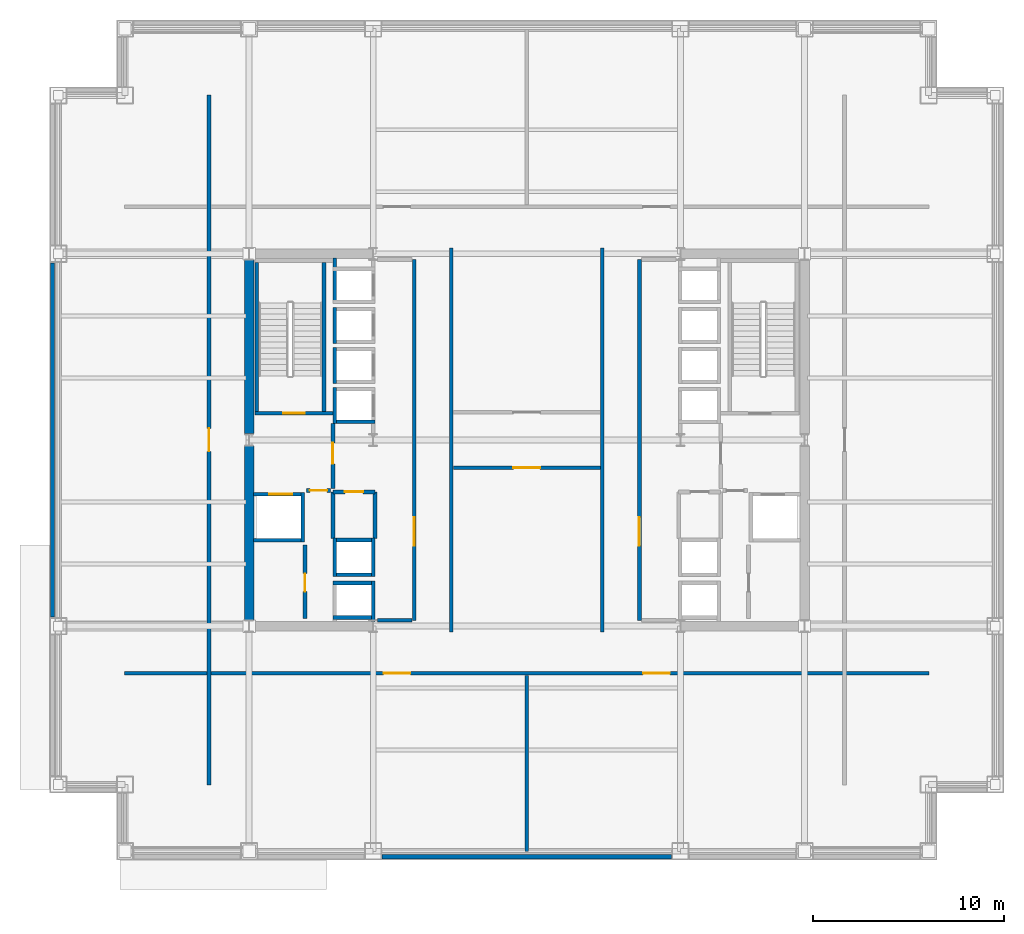
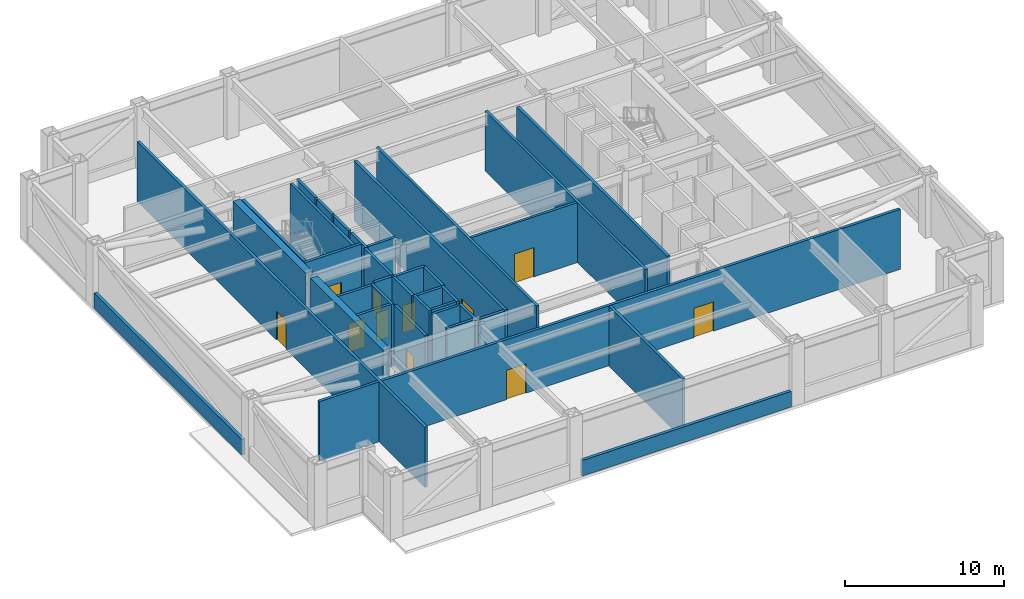
# One storey, part 3 of 8: 37 walls, 12 doors, 12 openings.
"""IFC4 building model written with IfcOpenShell, lengths in metres."""

from ifc_helpers import new_model, si_unit, direction, frame, frame_2d, origin, place, context, subcontext, project, spatial, rectangle, extrude, material, layer, layer_set, type_object, element, fill, save


model = new_model("IFC4")

# Units and contexts
model_context = context("Model", 3, precision=1e-05, world=origin(), true_north=direction((0.0, 1.0)))
body_context = subcontext(model_context, "Body", "Model", "MODEL_VIEW")
ifc_project = project(units=[si_unit("LENGTHUNIT", "METRE"), si_unit("AREAUNIT", "SQUARE_METRE"), si_unit("VOLUMEUNIT", "CUBIC_METRE"), si_unit("PLANEANGLEUNIT", "RADIAN"), si_unit("MASSUNIT", "GRAM", prefix="KILO")], contexts=[model_context])

# Site, building, storey
site_placement = place(None, origin())
site = spatial("IfcSite", under=ifc_project, at=site_placement, CompositionType="ELEMENT")
building_placement = place(site_placement, origin())
building = spatial("IfcBuilding", under=site, at=building_placement, Name="Brelmoor Portico Tower", CompositionType="ELEMENT")
storey_placement = place(building_placement, frame((0.0, 0.0, 78.0)))
storey = spatial("IfcBuildingStorey", under=building, at=storey_placement, Name="L20", CompositionType="ELEMENT", Elevation=78.0)

# Walls
ifc_material_1 = material(Name="Concrete C60", Category="concrete")
ifc_layer_1 = layer(ifc_material_1, 0.5)
ifc_layer_set_1 = layer_set([ifc_layer_1], Name="Concrete C60")
wall_type_1 = type_object("IfcWallType", Name="WL-CORE-500", PredefinedType="SHEAR", material=ifc_layer_set_1)
for number, where, z_axis, x_axis, name in (
    (1, (-14.550048828125, -9.425048828125, -0.199951171875), (0.0, 0.0, 1.0), (0.0, 1.0, 0.0), "L20 WC Outer South Shear Wall"),
    (2, (-14.550048828125, 0.324951171875, -0.199951171875), (0.0, 0.0, 1.0), (0.0, 1.0, 0.0), "L20 WC Outer North Shear Wall"),
):
    element("IfcWall", number, at=place(storey_placement, frame(where, z_axis=z_axis, x_axis=x_axis)), inside=storey, type_object=wall_type_1, Name=name, PredefinedType="SHEAR", context=body_context, shape_type="SweptSolid", body=[
        extrude(rectangle(XDim=9.10009765625, YDim=0.5, at=frame_2d((4.550048828125, 0.0))), origin(), (0.0, 0.0, 1.0), 4.800048828125),
    ])
ifc_material_2 = material(Name="Concrete C40 Parapet Upstand", Category="concrete")
ifc_layer_2 = layer(ifc_material_2, 0.219970703125)
ifc_layer_set_2 = layer_set([ifc_layer_2], Name="Concrete C40 Parapet Upstand")
wall_type_2 = type_object("IfcWallType", Name="WL-PARAPET-220", PredefinedType="PARAPET", material=ifc_layer_set_2)
wall_1_placement = place(storey_placement, frame((-7.580078125, -21.840087890625, 0.0), z_axis=(0.0, 0.0, 1.0), x_axis=(1.0, 0.0, 0.0)))
element("IfcWall", 3, at=wall_1_placement, inside=storey, type_object=wall_type_2, Name="L20 Plant Louvre Perimeter Upstand 03", PredefinedType="PARAPET", context=body_context, shape_type="SweptSolid", body=[
    extrude(rectangle(XDim=15.16015625, YDim=0.219970703125, at=frame_2d((7.580078125, 0.0))), origin(), (0.0, 0.0, 1.0), 1.199951171875),
])
wall_2_placement = place(storey_placement, frame((-24.840087890625, 9.280029296875, 0.0), z_axis=(0.0, 0.0, 1.0), x_axis=(0.0, -1.0, 0.0)))
element("IfcWall", 4, at=wall_2_placement, inside=storey, type_object=wall_type_2, Name="L20 Plant Louvre Perimeter Upstand 21", PredefinedType="PARAPET", context=body_context, shape_type="SweptSolid", body=[
    extrude(rectangle(XDim=18.56005859375, YDim=0.219970703125, at=frame_2d((9.280029296875, 0.0))), origin(), (0.0, 0.0, 1.0), 1.199951171875),
])
ifc_material_3 = material(Name="Acoustic Corridor Fire Partition", Category="gypsum")
ifc_layer_3 = layer(ifc_material_3, 0.179931640625)
ifc_layer_set_3 = layer_set([ifc_layer_3], Name="Acoustic Corridor Fire Partition")
wall_type_3 = type_object("IfcWallType", Name="WL-PART-180", PredefinedType="PARTITIONING", material=ifc_layer_set_3)
for number, where, z_axis, x_axis, name in (
    (5, (-3.949951171875, -10.050048828125, 0.0), (0.0, 0.0, 1.0), (0.0, 1.0, 0.0), "L20 Central Plant West Wall"),
    (6, (3.949951171875, -10.050048828125, 0.0), (0.0, 0.0, 1.0), (0.0, 1.0, 0.0), "L20 Central Plant East Wall"),
):
    element("IfcWall", number, at=place(storey_placement, frame(where, z_axis=z_axis, x_axis=x_axis)), inside=storey, type_object=wall_type_3, Name=name, PredefinedType="PARTITIONING", context=body_context, shape_type="SweptSolid", body=[
        extrude(rectangle(XDim=20.10009765625, YDim=0.179931640625, at=frame_2d((10.050048828125, 0.0))), origin(), (0.0, 0.0, 1.0), 4.60009765625),
    ])

# Wall, opening, door
wall_3_placement = place(storey_placement, frame((-3.85009765625, -1.449951171875, 0.0), z_axis=(0.0, 0.0, 1.0), x_axis=(1.0, 0.0, 0.0)))
wall_3 = element("IfcWall", 7, at=wall_3_placement, inside=storey, type_object=wall_type_3, Name="L20 Central Pump Room Wall", PredefinedType="PARTITIONING", context=body_context, shape_type="SweptSolid", body=[
    extrude(rectangle(XDim=7.7001953125, YDim=0.179931640625, at=frame_2d((3.85009765625, 0.0))), origin(), (0.0, 0.0, 1.0), 4.60009765625),
])
opening_1_placement = place(wall_3_placement, frame((3.14990234375, 0.0, 0.0)))
opening_1 = element("IfcOpeningElement", 8, at=opening_1_placement, cuts=wall_3, Name="Opening D-PL1", PredefinedType="OPENING", context=body_context, shape_type="SweptSolid", body=[
    extrude(rectangle(XDim=1.39990234375, YDim=2.25, at=frame_2d((0.699951171875, 1.125))), frame((0.0, 0.099853515625, 0.0), z_axis=(0.0, -1.0, 0.0), x_axis=(1.0, 0.0, 0.0)), (0.0, 0.0, 1.0), 0.199951171875),
])
ifc_material_4 = material(Name="Double-Leaf Acoustic Steel Plant Door", Category="steel")
door_type_1 = type_object("IfcDoorType", Name="DR-PLANT-1400", OperationType="NOTDEFINED", PredefinedType="DOOR", material=ifc_material_4)
door_1_placement = place(opening_1_placement, origin())
door_1 = element("IfcDoor", 9, at=door_1_placement, inside=storey, type_object=door_type_1, Name="D-0912 L20 Transfer Pump Room Door", OperationType="DOUBLE_DOOR_SINGLE_SWING", OverallHeight=2.25, OverallWidth=1.39990234375, PredefinedType="DOOR", context=body_context, shape_type="SweptSolid", body=[
    extrude(rectangle(XDim=1.39990234375, YDim=2.25, at=frame_2d((0.699951171875, 1.125))), frame((0.0, 0.02490234375, 0.0), z_axis=(0.0, -1.0, 0.0), x_axis=(1.0, 0.0, 0.0)), (0.0, 0.0, 1.0), 0.050048828125),
])
fill(opening_1, door_1)

ifc_material_5 = material(Name="Double-Stud Gypsum Fire Partition", Category="gypsum")
ifc_layer_4 = layer(ifc_material_5, 0.199951171875)
ifc_layer_set_4 = layer_set([ifc_layer_4], Name="Double-Stud Gypsum Fire Partition")
wall_type_4 = type_object("IfcWallType", Name="WL-PART-200", PredefinedType="PARTITIONING", material=ifc_layer_set_4)
wall_4_placement = place(storey_placement, frame((-5.89990234375, -9.449951171875, 0.0), z_axis=(0.0, 0.0, 1.0), x_axis=(0.0, 1.0, 0.0)))
wall_4 = element("IfcWall", 10, at=wall_4_placement, inside=storey, type_object=wall_type_4, Name="L20 W Core Lobby Compartment Wall", PredefinedType="PARTITIONING", context=body_context, shape_type="SweptSolid", body=[
    extrude(rectangle(XDim=18.89990234375, YDim=0.199951171875, at=frame_2d((9.449951171875, 0.0))), origin(), (0.0, 0.0, 1.0), 4.60009765625),
])
opening_2_placement = place(wall_4_placement, frame((3.89990234375, 0.0, 0.0)))
opening_2 = element("IfcOpeningElement", 11, at=opening_2_placement, cuts=wall_4, Name="Opening D-LB1", PredefinedType="OPENING", context=body_context, shape_type="SweptSolid", body=[
    extrude(rectangle(XDim=1.5, YDim=2.199951171875, at=frame_2d((0.75, 1.10009765625))), frame((0.0, 0.10986328125, 0.0), z_axis=(0.0, -1.0, 0.0), x_axis=(1.0, 0.0, 0.0)), (0.0, 0.0, 1.0), 0.219970703125),
])
ifc_material_6 = material(Name="Double-Leaf Glazed Steel Fire Door", Category="steel")
door_type_2 = type_object("IfcDoorType", Name="DR-LOBBY-1500", OperationType="NOTDEFINED", PredefinedType="DOOR", material=ifc_material_6)
door_2_placement = place(opening_2_placement, origin())
door_2 = element("IfcDoor", 12, at=door_2_placement, inside=storey, type_object=door_type_2, Name="D-0910 L20 W Lift Lobby Main Door", OperationType="DOUBLE_DOOR_SINGLE_SWING", OverallHeight=2.199951171875, OverallWidth=1.5, PredefinedType="DOOR", context=body_context, shape_type="SweptSolid", body=[
    extrude(rectangle(XDim=1.5, YDim=2.199951171875, at=frame_2d((0.75, 1.10009765625))), frame((0.0, 0.02490234375, 0.0), z_axis=(0.0, -1.0, 0.0), x_axis=(1.0, 0.0, 0.0)), (0.0, 0.0, 1.0), 0.050048828125),
])
fill(opening_2, door_2)

# Wall
wall_5_placement = place(storey_placement, frame((-6.02001953125, -9.449951171875, 0.0), z_axis=(0.0, 0.0, 1.0), x_axis=(-1.0, 0.0, 0.0)))
element("IfcWall", 13, at=wall_5_placement, inside=storey, type_object=wall_type_4, Name="L20 W Lift Lobby South End Wall", PredefinedType="PARTITIONING", context=body_context, shape_type="SweptSolid", body=[
    extrude(rectangle(XDim=1.800048828125, YDim=0.199951171875, at=frame_2d((0.89990234375, 0.0))), origin(), (0.0, 0.0, 1.0), 4.60009765625),
])

# Wall, opening, door
wall_6_placement = place(storey_placement, frame((-10.159912109375, -2.550048828125, 0.0), z_axis=(0.0, 0.0, 1.0), x_axis=(0.0, 1.0, 0.0)))
wall_6 = element("IfcWall", 14, at=wall_6_placement, inside=storey, type_object=wall_type_4, Name="L20 W Firefighting Lobby Wall", PredefinedType="PARTITIONING", context=body_context, shape_type="SweptSolid", body=[
    extrude(rectangle(XDim=3.400146484375, YDim=0.199951171875, at=frame_2d((1.7001953125, 0.0))), origin(), (0.0, 0.0, 1.0), 4.60009765625),
])
opening_3_placement = place(wall_6_placement, frame((1.300048828125, 0.0, 0.0)))
opening_3 = element("IfcOpeningElement", 15, at=opening_3_placement, cuts=wall_6, Name="Opening D-FR1", PredefinedType="OPENING", context=body_context, shape_type="SweptSolid", body=[
    extrude(rectangle(XDim=1.10009765625, YDim=2.14990234375, at=frame_2d((0.550048828125, 1.074951171875))), frame((0.0, 0.10986328125, 0.0), z_axis=(0.0, -1.0, 0.0), x_axis=(1.0, 0.0, 0.0)), (0.0, 0.0, 1.0), 0.219970703125),
])
ifc_material_7 = material(Name="Painted Galvanised Steel Fire Door", Category="steel")
door_type_3 = type_object("IfcDoorType", Name="DR-FIRE-1100", OperationType="NOTDEFINED", PredefinedType="DOOR", material=ifc_material_7)
door_3_placement = place(opening_3_placement, origin())
door_3 = element("IfcDoor", 16, at=door_3_placement, inside=storey, type_object=door_type_3, Name="D-0908 L20 W Firefighting Lobby Door", OperationType="SINGLE_SWING_LEFT", OverallHeight=2.14990234375, OverallWidth=1.10009765625, PredefinedType="DOOR", context=body_context, shape_type="SweptSolid", body=[
    extrude(rectangle(XDim=1.10009765625, YDim=2.14990234375, at=frame_2d((0.550048828125, 1.074951171875))), frame((0.0, 0.02490234375, 0.0), z_axis=(0.0, -1.0, 0.0), x_axis=(1.0, 0.0, 0.0)), (0.0, 0.0, 1.0), 0.050048828125),
])
fill(opening_3, door_3)

wall_7_placement = place(storey_placement, frame((-10.280029296875, -2.64990234375, 0.0), z_axis=(0.0, 0.0, 1.0), x_axis=(-1.0, 0.0, 0.0)))
wall_7 = element("IfcWall", 17, at=wall_7_placement, inside=storey, type_object=wall_type_4, Name="L20 W Firefighting Lobby South Wall", PredefinedType="PARTITIONING", context=body_context, shape_type="SweptSolid", body=[
    extrude(rectangle(XDim=1.27001953125, YDim=0.199951171875, at=frame_2d((0.635009765625, 0.0))), origin(), (0.0, 0.0, 1.0), 4.60009765625),
])
opening_4_placement = place(wall_7_placement, frame((0.18505859375, 0.0, 0.0)))
opening_4 = element("IfcOpeningElement", 18, at=opening_4_placement, cuts=wall_7, Name="Opening D-IN1", PredefinedType="OPENING", context=body_context, shape_type="SweptSolid", body=[
    extrude(rectangle(XDim=0.89990234375, YDim=2.14990234375, at=frame_2d((0.449951171875, 1.074951171875))), frame((0.0, 0.10986328125, 0.0), z_axis=(0.0, -1.0, 0.0), x_axis=(1.0, 0.0, 0.0)), (0.0, 0.0, 1.0), 0.219970703125),
])
ifc_material_8 = material(Name="Lacquered Timber Suite Door", Category="wood")
door_type_4 = type_object("IfcDoorType", Name="DR-INT-900", OperationType="NOTDEFINED", PredefinedType="DOOR", material=ifc_material_8)
door_4_placement = place(opening_4_placement, origin())
door_4 = element("IfcDoor", 19, at=door_4_placement, inside=storey, type_object=door_type_4, Name="D-0904 L20 W Core Service Vestibule Door", OperationType="SINGLE_SWING_RIGHT", OverallHeight=2.14990234375, OverallWidth=0.89990234375, PredefinedType="DOOR", context=body_context, shape_type="SweptSolid", body=[
    extrude(rectangle(XDim=0.89990234375, YDim=2.14990234375, at=frame_2d((0.449951171875, 1.074951171875))), frame((0.0, 0.02490234375, 0.0), z_axis=(0.0, -1.0, 0.0), x_axis=(1.0, 0.0, 0.0)), (0.0, 0.0, 1.0), 0.050048828125),
])
fill(opening_4, door_4)

wall_8_placement = place(storey_placement, frame((-7.9599609375, -2.719970703125, 0.0), z_axis=(0.0, 0.0, 1.0), x_axis=(-1.0, 0.0, 0.0)))
wall_8 = element("IfcWall", 20, at=wall_8_placement, inside=storey, type_object=wall_type_4, Name="L20 W Electrical Switchgear Closet Wall", PredefinedType="PARTITIONING", context=body_context, shape_type="SweptSolid", body=[
    extrude(rectangle(XDim=2.199951171875, YDim=0.199951171875, at=frame_2d((1.10009765625, 0.0))), origin(), (0.0, 0.0, 1.0), 4.60009765625),
])
opening_5_placement = place(wall_8_placement, frame((0.6201171875, 0.0, 0.0)))
opening_5 = element("IfcOpeningElement", 21, at=opening_5_placement, cuts=wall_8, Name="Opening D-FR4", PredefinedType="OPENING", context=body_context, shape_type="SweptSolid", body=[
    extrude(rectangle(XDim=0.949951171875, YDim=2.10009765625, at=frame_2d((0.47509765625, 1.050048828125))), frame((0.0, 0.10986328125, 0.0), z_axis=(0.0, -1.0, 0.0), x_axis=(1.0, 0.0, 0.0)), (0.0, 0.0, 1.0), 0.219970703125),
])
ifc_material_9 = material(Name="Painted Galvanised Steel Riser Door", Category="steel")
door_type_5 = type_object("IfcDoorType", Name="DR-FIRE-950", OperationType="NOTDEFINED", PredefinedType="DOOR", material=ifc_material_9)
door_5_placement = place(opening_5_placement, origin())
door_5 = element("IfcDoor", 22, at=door_5_placement, inside=storey, type_object=door_type_5, Name="D-0906 L20 W Electrical Switchgear Closet Door", OperationType="SINGLE_SWING_LEFT", OverallHeight=2.10009765625, OverallWidth=0.949951171875, PredefinedType="DOOR", context=body_context, shape_type="SweptSolid", body=[
    extrude(rectangle(XDim=0.949951171875, YDim=2.10009765625, at=frame_2d((0.47509765625, 1.050048828125))), frame((0.0, 0.02490234375, 0.0), z_axis=(0.0, -1.0, 0.0), x_axis=(1.0, 0.0, 0.0)), (0.0, 0.0, 1.0), 0.050048828125),
])
fill(opening_5, door_5)

# Walls
for number, where, z_axis, x_axis, name in (
    (23, (-7.9599609375, -5.159912109375, 0.0), (0.0, 0.0, 1.0), (0.0, 1.0, 0.0), "L20 W Electrical Switchgear Closet Inner Wall"),
    (24, (-10.159912109375, -5.159912109375, 0.0), (0.0, 0.0, 1.0), (0.0, 1.0, 0.0), "L20 W Electrical Switchgear Closet Outer Wall"),
):
    element("IfcWall", number, at=place(storey_placement, frame(where, z_axis=z_axis, x_axis=x_axis)), inside=storey, type_object=wall_type_4, Name=name, PredefinedType="PARTITIONING", context=body_context, shape_type="SweptSolid", body=[
        extrude(rectangle(XDim=2.43994140625, YDim=0.199951171875, at=frame_2d((1.219970703125, 0.0))), origin(), (0.0, 0.0, 1.0), 4.60009765625),
    ])

# Wall, opening, door
wall_9_placement = place(storey_placement, frame((-11.6201171875, -9.35009765625, 0.0), z_axis=(0.0, 0.0, 1.0), x_axis=(0.0, 1.0, 0.0)))
wall_9 = element("IfcWall", 25, at=wall_9_placement, inside=storey, type_object=wall_type_4, Name="L20 W Mechanical Equipment Closet Wall", PredefinedType="PARTITIONING", context=body_context, shape_type="SweptSolid", body=[
    extrude(rectangle(XDim=3.85009765625, YDim=0.199951171875, at=frame_2d((1.925048828125, 0.0))), origin(), (0.0, 0.0, 1.0), 4.60009765625),
])
opening_6_placement = place(wall_9_placement, frame((1.39990234375, 0.0, 0.0)))
opening_6 = element("IfcOpeningElement", 26, at=opening_6_placement, cuts=wall_9, Name="Opening D-FR4", PredefinedType="OPENING", context=body_context, shape_type="SweptSolid", body=[
    extrude(rectangle(XDim=0.949951171875, YDim=2.10009765625, at=frame_2d((0.47509765625, 1.050048828125))), frame((0.0, 0.10986328125, 0.0), z_axis=(0.0, -1.0, 0.0), x_axis=(1.0, 0.0, 0.0)), (0.0, 0.0, 1.0), 0.219970703125),
])
door_6_placement = place(opening_6_placement, origin())
door_6 = element("IfcDoor", 27, at=door_6_placement, inside=storey, type_object=door_type_5, Name="D-0902 L20 W Mechanical Equipment Closet Door", OperationType="SINGLE_SWING_RIGHT", OverallHeight=2.10009765625, OverallWidth=0.949951171875, PredefinedType="DOOR", context=body_context, shape_type="SweptSolid", body=[
    extrude(rectangle(XDim=0.949951171875, YDim=2.10009765625, at=frame_2d((0.47509765625, 1.050048828125))), frame((0.0, 0.02490234375, 0.0), z_axis=(0.0, -1.0, 0.0), x_axis=(1.0, 0.0, 0.0)), (0.0, 0.0, 1.0), 0.050048828125),
])
fill(opening_6, door_6)

wall_10_placement = place(storey_placement, frame((5.89990234375, -9.449951171875, 0.0), z_axis=(0.0, 0.0, 1.0), x_axis=(0.0, 1.0, 0.0)))
wall_10 = element("IfcWall", 28, at=wall_10_placement, inside=storey, type_object=wall_type_4, Name="L20 E Core Lobby Compartment Wall", PredefinedType="PARTITIONING", context=body_context, shape_type="SweptSolid", body=[
    extrude(rectangle(XDim=18.89990234375, YDim=0.199951171875, at=frame_2d((9.449951171875, 0.0))), origin(), (0.0, 0.0, 1.0), 4.60009765625),
])
opening_7_placement = place(wall_10_placement, frame((3.89990234375, 0.0, 0.0)))
opening_7 = element("IfcOpeningElement", 29, at=opening_7_placement, cuts=wall_10, Name="Opening D-LB1", PredefinedType="OPENING", context=body_context, shape_type="SweptSolid", body=[
    extrude(rectangle(XDim=1.5, YDim=2.199951171875, at=frame_2d((0.75, 1.10009765625))), frame((0.0, 0.10986328125, 0.0), z_axis=(0.0, -1.0, 0.0), x_axis=(1.0, 0.0, 0.0)), (0.0, 0.0, 1.0), 0.219970703125),
])
door_7_placement = place(opening_7_placement, origin())
door_7 = element("IfcDoor", 30, at=door_7_placement, inside=storey, type_object=door_type_2, Name="D-0909 L20 E Lift Lobby Main Door", OperationType="DOUBLE_DOOR_SINGLE_SWING", OverallHeight=2.199951171875, OverallWidth=1.5, PredefinedType="DOOR", context=body_context, shape_type="SweptSolid", body=[
    extrude(rectangle(XDim=1.5, YDim=2.199951171875, at=frame_2d((0.75, 1.10009765625))), frame((0.0, 0.02490234375, 0.0), z_axis=(0.0, -1.0, 0.0), x_axis=(1.0, 0.0, 0.0)), (0.0, 0.0, 1.0), 0.050048828125),
])
fill(opening_7, door_7)

wall_11_placement = place(storey_placement, frame((-16.64990234375, -18.070068359375, 0.0), z_axis=(0.0, 0.0, 1.0), x_axis=(0.0, 1.0, 0.0)))
wall_11 = element("IfcWall", 31, at=wall_11_placement, inside=storey, type_object=wall_type_4, Name="L20 Pressurised Refuge Area West Fire Wall", PredefinedType="PARTITIONING", context=body_context, shape_type="SweptSolid", body=[
    extrude(rectangle(XDim=36.14013671875, YDim=0.199951171875, at=frame_2d((18.070068359375, 0.0))), origin(), (0.0, 0.0, 1.0), 4.60009765625),
])
opening_8_placement = place(wall_11_placement, frame((17.469970703125, 0.0, 0.0)))
opening_8 = element("IfcOpeningElement", 32, at=opening_8_placement, cuts=wall_11, Name="Opening D-FR3", PredefinedType="OPENING", context=body_context, shape_type="SweptSolid", body=[
    extrude(rectangle(XDim=1.199951171875, YDim=2.219970703125, at=frame_2d((0.60009765625, 1.10986328125))), frame((0.0, 0.10986328125, 0.0), z_axis=(0.0, -1.0, 0.0), x_axis=(1.0, 0.0, 0.0)), (0.0, 0.0, 1.0), 0.219970703125),
])
door_type_6 = type_object("IfcDoorType", Name="DR-FIRE-1200", OperationType="NOTDEFINED", PredefinedType="DOOR", material=ifc_material_7)
door_8_placement = place(opening_8_placement, origin())
door_8 = element("IfcDoor", 33, at=door_8_placement, inside=storey, type_object=door_type_6, Name="D-0918 L20 Pressurised Refuge Area West Door", OperationType="SINGLE_SWING_LEFT", OverallHeight=2.219970703125, OverallWidth=1.199951171875, PredefinedType="DOOR", context=body_context, shape_type="SweptSolid", body=[
    extrude(rectangle(XDim=1.199951171875, YDim=2.219970703125, at=frame_2d((0.60009765625, 1.10986328125))), frame((0.0, 0.02490234375, 0.0), z_axis=(0.0, -1.0, 0.0), x_axis=(1.0, 0.0, 0.0)), (0.0, 0.0, 1.0), 0.050048828125),
])
fill(opening_8, door_8)

# Wall, openings, doors
wall_12_placement = place(storey_placement, frame((-21.070068359375, -12.219970703125, 0.0), z_axis=(0.0, 0.0, 1.0), x_axis=(1.0, 0.0, 0.0)))
wall_12 = element("IfcWall", 34, at=wall_12_placement, inside=storey, type_object=wall_type_4, Name="L20 South Plant Wall", PredefinedType="PARTITIONING", context=body_context, shape_type="SweptSolid", body=[
    extrude(rectangle(XDim=42.14013671875, YDim=0.199951171875, at=frame_2d((21.070068359375, 0.0))), origin(), (0.0, 0.0, 1.0), 4.60009765625),
])
opening_9_placement = place(wall_12_placement, frame((13.570068359375, 0.0, 0.0)))
opening_9 = element("IfcOpeningElement", 35, at=opening_9_placement, cuts=wall_12, Name="Opening D-PL1", PredefinedType="OPENING", context=body_context, shape_type="SweptSolid", body=[
    extrude(rectangle(XDim=1.39990234375, YDim=2.25, at=frame_2d((0.699951171875, 1.125))), frame((0.0, 0.10986328125, 0.0), z_axis=(0.0, -1.0, 0.0), x_axis=(1.0, 0.0, 0.0)), (0.0, 0.0, 1.0), 0.219970703125),
])
opening_10_placement = place(wall_12_placement, frame((27.169921875, 0.0, 0.0)))
opening_10 = element("IfcOpeningElement", 36, at=opening_10_placement, cuts=wall_12, Name="Opening D-PL1", PredefinedType="OPENING", context=body_context, shape_type="SweptSolid", body=[
    extrude(rectangle(XDim=1.39990234375, YDim=2.25, at=frame_2d((0.699951171875, 1.125))), frame((0.0, 0.10986328125, 0.0), z_axis=(0.0, -1.0, 0.0), x_axis=(1.0, 0.0, 0.0)), (0.0, 0.0, 1.0), 0.219970703125),
])
door_9_placement = place(opening_9_placement, origin())
door_9 = element("IfcDoor", 37, at=door_9_placement, inside=storey, type_object=door_type_1, Name="D-0916 L20 Smoke Extract Fan Plant Door", OperationType="DOUBLE_DOOR_SINGLE_SWING", OverallHeight=2.25, OverallWidth=1.39990234375, PredefinedType="DOOR", context=body_context, shape_type="SweptSolid", body=[
    extrude(rectangle(XDim=1.39990234375, YDim=2.25, at=frame_2d((0.699951171875, 1.125))), frame((0.0, 0.02490234375, 0.0), z_axis=(0.0, -1.0, 0.0), x_axis=(1.0, 0.0, 0.0)), (0.0, 0.0, 1.0), 0.050048828125),
])
fill(opening_9, door_9)
door_10_placement = place(opening_10_placement, origin())
door_10 = element("IfcDoor", 38, at=door_10_placement, inside=storey, type_object=door_type_1, Name="D-0915 L20 Electrical Substation Door", OperationType="DOUBLE_DOOR_SINGLE_SWING", OverallHeight=2.25, OverallWidth=1.39990234375, PredefinedType="DOOR", context=body_context, shape_type="SweptSolid", body=[
    extrude(rectangle(XDim=1.39990234375, YDim=2.25, at=frame_2d((0.699951171875, 1.125))), frame((0.0, 0.02490234375, 0.0), z_axis=(0.0, -1.0, 0.0), x_axis=(1.0, 0.0, 0.0)), (0.0, 0.0, 1.0), 0.050048828125),
])
fill(opening_10, door_10)

# Walls
wall_13_placement = place(storey_placement, frame((0.0, -21.570068359375, 0.0), z_axis=(0.0, 0.0, 1.0), x_axis=(0.0, 1.0, 0.0)))
element("IfcWall", 39, at=wall_13_placement, inside=storey, type_object=wall_type_4, Name="L20 South Plant Divider", PredefinedType="PARTITIONING", context=body_context, shape_type="SweptSolid", body=[
    extrude(rectangle(XDim=9.22998046875, YDim=0.199951171875, at=frame_2d((4.614990234375, 0.0))), origin(), (0.0, 0.0, 1.0), 4.60009765625),
])
ifc_material_10 = material(Name="Precast Concrete C40", Category="concrete")
ifc_layer_5 = layer(ifc_material_10, 0.18994140625)
ifc_layer_set_5 = layer_set([ifc_layer_5], Name="Precast Concrete C40")
wall_type_5 = type_object("IfcWallType", Name="WL-SHAFT-180", PredefinedType="SOLIDWALL", material=ifc_layer_set_5)
wall_14_placement = place(storey_placement, frame((-10.054931640625, 0.85009765625, -0.199951171875), z_axis=(0.0, 0.0, 1.0), x_axis=(0.0, 1.0, 0.0)))
element("IfcWall", 40, at=wall_14_placement, inside=storey, type_object=wall_type_5, Name="L20 Lift PL1 Hoistway Back Wall", PredefinedType="SOLIDWALL", context=body_context, shape_type="SweptSolid", body=[
    extrude(rectangle(XDim=1.89990234375, YDim=0.18994140625, at=frame_2d((0.949951171875, 0.0))), origin(), (0.0, 0.0, 1.0), 4.800048828125),
])
wall_15_placement = place(storey_placement, frame((-10.14990234375, 0.945068359375, -0.199951171875), z_axis=(0.0, 0.0, 1.0), x_axis=(1.0, 0.0, 0.0)))
element("IfcWall", 41, at=wall_15_placement, inside=storey, type_object=wall_type_5, Name="L20 Lift PL1 Hoistway South Wall", PredefinedType="SOLIDWALL", context=body_context, shape_type="SweptSolid", body=[
    extrude(rectangle(XDim=2.199951171875, YDim=0.18994140625, at=frame_2d((1.10009765625, 0.0))), origin(), (0.0, 0.0, 1.0), 4.800048828125),
])
wall_16_placement = place(storey_placement, frame((-10.054931640625, 2.949951171875, -0.199951171875), z_axis=(0.0, 0.0, 1.0), x_axis=(0.0, 1.0, 0.0)))
element("IfcWall", 42, at=wall_16_placement, inside=storey, type_object=wall_type_5, Name="L20 Lift PL2 Hoistway Back Wall", PredefinedType="SOLIDWALL", context=body_context, shape_type="SweptSolid", body=[
    extrude(rectangle(XDim=1.900146484375, YDim=0.18994140625, at=frame_2d((0.9501953125, 0.0))), origin(), (0.0, 0.0, 1.0), 4.800048828125),
])
wall_17_placement = place(storey_placement, frame((-10.054931640625, 5.050048828125, -0.199951171875), z_axis=(0.0, 0.0, 1.0), x_axis=(0.0, 1.0, 0.0)))
element("IfcWall", 43, at=wall_17_placement, inside=storey, type_object=wall_type_5, Name="L20 Lift PL3 Hoistway Back Wall", PredefinedType="SOLIDWALL", context=body_context, shape_type="SweptSolid", body=[
    extrude(rectangle(XDim=1.89990234375, YDim=0.18994140625, at=frame_2d((0.949951171875, 0.0))), origin(), (0.0, 0.0, 1.0), 4.800048828125),
])
wall_18_placement = place(storey_placement, frame((-10.054931640625, 7.14990234375, -0.199951171875), z_axis=(0.0, 0.0, 1.0), x_axis=(0.0, 1.0, 0.0)))
element("IfcWall", 44, at=wall_18_placement, inside=storey, type_object=wall_type_5, Name="L20 Lift PL4 Hoistway Back Wall", PredefinedType="SOLIDWALL", context=body_context, shape_type="SweptSolid", body=[
    extrude(rectangle(XDim=2.3701171875, YDim=0.18994140625, at=frame_2d((1.18505859375, 0.0))), origin(), (0.0, 0.0, 1.0), 4.800048828125),
])
wall_19_placement = place(storey_placement, frame((-8.044921875, -9.52001953125, -0.199951171875), z_axis=(0.0, 0.0, 1.0), x_axis=(0.0, 1.0, 0.0)))
element("IfcWall", 45, at=wall_19_placement, inside=storey, type_object=wall_type_5, Name="L20 Lift PH1 Hoistway Front Wall", PredefinedType="SOLIDWALL", context=body_context, shape_type="SweptSolid", body=[
    extrude(rectangle(XDim=2.1201171875, YDim=0.18994140625, at=frame_2d((1.06005859375, 0.0))), origin(), (0.0, 0.0, 1.0), 4.800048828125),
])
for number, where, z_axis, x_axis, name in (
    (46, (-10.14990234375, -7.4951171875, -0.199951171875), (0.0, 0.0, 1.0), (1.0, 0.0, 0.0), "L20 Lift PH1 Hoistway North Wall"),
    (47, (-10.14990234375, -9.304931640625, -0.199951171875), (0.0, 0.0, 1.0), (1.0, 0.0, 0.0), "L20 Lift PH1 Hoistway South Wall"),
):
    element("IfcWall", number, at=place(storey_placement, frame(where, z_axis=z_axis, x_axis=x_axis)), inside=storey, type_object=wall_type_5, Name=name, PredefinedType="SOLIDWALL", context=body_context, shape_type="SweptSolid", body=[
        extrude(rectangle(XDim=2.199951171875, YDim=0.18994140625, at=frame_2d((1.10009765625, 0.0))), origin(), (0.0, 0.0, 1.0), 4.800048828125),
    ])
for number, where, z_axis, x_axis, name in (
    (48, (-8.044921875, -7.14990234375, -0.199951171875), (0.0, 0.0, 1.0), (0.0, 1.0, 0.0), "L20 Lift PH2 Hoistway Front Wall"),
    (49, (-10.054931640625, -7.14990234375, -0.199951171875), (0.0, 0.0, 1.0), (0.0, 1.0, 0.0), "L20 Lift PH2 Hoistway Back Wall"),
):
    element("IfcWall", number, at=place(storey_placement, frame(where, z_axis=z_axis, x_axis=x_axis)), inside=storey, type_object=wall_type_5, Name=name, PredefinedType="SOLIDWALL", context=body_context, shape_type="SweptSolid", body=[
        extrude(rectangle(XDim=2.0, YDim=0.18994140625, at=frame_2d((1.0, 0.0))), origin(), (0.0, 0.0, 1.0), 4.800048828125),
    ])
for number, where, z_axis, x_axis, name in (
    (50, (-10.14990234375, -5.2451171875, -0.199951171875), (0.0, 0.0, 1.0), (1.0, 0.0, 0.0), "L20 Lift PH2 Hoistway North Wall"),
    (51, (-10.14990234375, -7.054931640625, -0.199951171875), (0.0, 0.0, 1.0), (1.0, 0.0, 0.0), "L20 Lift PH2 Hoistway South Wall"),
):
    element("IfcWall", number, at=place(storey_placement, frame(where, z_axis=z_axis, x_axis=x_axis)), inside=storey, type_object=wall_type_5, Name=name, PredefinedType="SOLIDWALL", context=body_context, shape_type="SweptSolid", body=[
        extrude(rectangle(XDim=2.199951171875, YDim=0.18994140625, at=frame_2d((1.10009765625, 0.0))), origin(), (0.0, 0.0, 1.0), 4.800048828125),
    ])

# Wall, opening, door
wall_20_placement = place(storey_placement, frame((-14.330078125, -2.844970703125, -0.199951171875), z_axis=(0.0, 0.0, 1.0), x_axis=(1.0, 0.0, 0.0)))
wall_20 = element("IfcWall", 52, at=wall_20_placement, inside=storey, type_object=wall_type_5, Name="L20 Lift FF1 Hoistway Front Wall", PredefinedType="SOLIDWALL", context=body_context, shape_type="SweptSolid", body=[
    extrude(rectangle(XDim=2.68017578125, YDim=0.18994140625, at=frame_2d((1.340087890625, 0.0))), origin(), (0.0, 0.0, 1.0), 4.800048828125),
])
opening_11_placement = place(wall_20_placement, frame((0.830078125, 0.0, 0.199951171875)))
opening_11 = element("IfcOpeningElement", 53, at=opening_11_placement, cuts=wall_20, Name="Opening LD-02", PredefinedType="OPENING", context=body_context, shape_type="SweptSolid", body=[
    extrude(rectangle(XDim=1.199951171875, YDim=2.199951171875, at=frame_2d((0.60009765625, 1.10009765625))), frame((0.0, 0.10498046875, 0.0), z_axis=(0.0, -1.0, 0.0), x_axis=(1.0, 0.0, 0.0)), (0.0, 0.0, 1.0), 0.2099609375),
])
ifc_material_11 = material(Name="Brushed Stainless Steel Firefighting Lift Door", Category="steel")
door_type_7 = type_object("IfcDoorType", Name="DR-LIFT-1200", OperationType="NOTDEFINED", PredefinedType="DOOR", material=ifc_material_11)
door_11_placement = place(opening_11_placement, origin())
door_11 = element("IfcDoor", 54, at=door_11_placement, inside=storey, type_object=door_type_7, Name="D-0921 L20 Lift FF1 Sliding Landing Door", OperationType="SLIDING_TO_LEFT", OverallHeight=2.199951171875, OverallWidth=1.199951171875, PredefinedType="DOOR", context=body_context, shape_type="SweptSolid", body=[
    extrude(rectangle(XDim=1.199951171875, YDim=2.199951171875, at=frame_2d((0.60009765625, 1.10009765625))), frame((0.0, 0.02490234375, 0.0), z_axis=(0.0, -1.0, 0.0), x_axis=(1.0, 0.0, 0.0)), (0.0, 0.0, 1.0), 0.050048828125),
])
fill(opening_11, door_11)

# Walls
wall_21_placement = place(storey_placement, frame((-14.330078125, -5.2548828125, -0.199951171875), z_axis=(0.0, 0.0, 1.0), x_axis=(1.0, 0.0, 0.0)))
element("IfcWall", 55, at=wall_21_placement, inside=storey, type_object=wall_type_5, Name="L20 Firefighting Lift FF1 South Wall", PredefinedType="SOLIDWALL", context=body_context, shape_type="SweptSolid", body=[
    extrude(rectangle(XDim=2.68017578125, YDim=0.18994140625, at=frame_2d((1.340087890625, 0.0))), origin(), (0.0, 0.0, 1.0), 4.800048828125),
])
wall_22_placement = place(storey_placement, frame((-11.7451171875, -5.35009765625, -0.199951171875), z_axis=(0.0, 0.0, 1.0), x_axis=(0.0, 1.0, 0.0)))
element("IfcWall", 56, at=wall_22_placement, inside=storey, type_object=wall_type_5, Name="L20 Firefighting Lift FF1 Inner Wall", PredefinedType="SOLIDWALL", context=body_context, shape_type="SweptSolid", body=[
    extrude(rectangle(XDim=2.60009765625, YDim=0.18994140625, at=frame_2d((1.300048828125, 0.0))), origin(), (0.0, 0.0, 1.0), 4.800048828125),
])
ifc_material_12 = material(Name="Concrete C40", Category="concrete")
ifc_layer_6 = layer(ifc_material_12, 0.199951171875)
ifc_layer_set_6 = layer_set([ifc_layer_6], Name="Concrete C40")
wall_type_6 = type_object("IfcWallType", Name="WL-SHAFT-RC200", PredefinedType="SOLIDWALL", material=ifc_layer_set_6)
wall_23_placement = place(storey_placement, frame((-14.14990234375, 1.5, -0.199951171875), z_axis=(0.0, 0.0, 1.0), x_axis=(0.0, 1.0, 0.0)))
element("IfcWall", 57, at=wall_23_placement, inside=storey, type_object=wall_type_6, Name="L20 ST-W Structural Stair Wall Outer", PredefinedType="SOLIDWALL", context=body_context, shape_type="SweptSolid", body=[
    extrude(rectangle(XDim=7.800048828125, YDim=0.199951171875, at=frame_2d((3.89990234375, 0.0))), origin(), (0.0, 0.0, 1.0), 4.800048828125),
])

# Wall, opening, door
wall_24_placement = place(storey_placement, frame((-14.25, 1.39990234375, -0.199951171875), z_axis=(0.0, 0.0, 1.0), x_axis=(1.0, 0.0, 0.0)))
wall_24 = element("IfcWall", 58, at=wall_24_placement, inside=storey, type_object=wall_type_6, Name="L20 ST-W Structural Stair Wall S", PredefinedType="SOLIDWALL", context=body_context, shape_type="SweptSolid", body=[
    extrude(rectangle(XDim=4.10009765625, YDim=0.199951171875, at=frame_2d((2.050048828125, 0.0))), origin(), (0.0, 0.0, 1.0), 4.800048828125),
])
opening_12_placement = place(wall_24_placement, frame((1.5, 0.0, 0.199951171875)))
opening_12 = element("IfcOpeningElement", 59, at=opening_12_placement, cuts=wall_24, Name="Opening D-ST1", PredefinedType="OPENING", context=body_context, shape_type="SweptSolid", body=[
    extrude(rectangle(XDim=1.1201171875, YDim=2.179931640625, at=frame_2d((0.56005859375, 1.08984375))), frame((0.0, 0.10986328125, 0.0), z_axis=(0.0, -1.0, 0.0), x_axis=(1.0, 0.0, 0.0)), (0.0, 0.0, 1.0), 0.219970703125),
])
door_type_8 = type_object("IfcDoorType", Name="DR-STAIR-1100", OperationType="NOTDEFINED", PredefinedType="DOOR", material=ifc_material_7)
door_12_placement = place(opening_12_placement, origin())
door_12 = element("IfcDoor", 60, at=door_12_placement, inside=storey, type_object=door_type_8, Name="D-0920 L20 ST-W Protected Exit Stair Door", OperationType="SINGLE_SWING_LEFT", OverallHeight=2.179931640625, OverallWidth=1.1201171875, PredefinedType="DOOR", context=body_context, shape_type="SweptSolid", body=[
    extrude(rectangle(XDim=1.1201171875, YDim=2.179931640625, at=frame_2d((0.56005859375, 1.08984375))), frame((0.0, 0.02490234375, 0.0), z_axis=(0.0, -1.0, 0.0), x_axis=(1.0, 0.0, 0.0)), (0.0, 0.0, 1.0), 0.050048828125),
])
fill(opening_12, door_12)

# Wall
wall_25_placement = place(storey_placement, frame((-10.6298828125, 1.5, -0.199951171875), z_axis=(0.0, 0.0, 1.0), x_axis=(0.0, 1.0, 0.0)))
element("IfcWall", 61, at=wall_25_placement, inside=storey, type_object=wall_type_6, Name="L20 ST-W Structural Stair Wall Inner", PredefinedType="SOLIDWALL", context=body_context, shape_type="SweptSolid", body=[
    extrude(rectangle(XDim=7.800048828125, YDim=0.199951171875, at=frame_2d((3.89990234375, 0.0))), origin(), (0.0, 0.0, 1.0), 4.800048828125),
])

save(model, "model.ifc")
